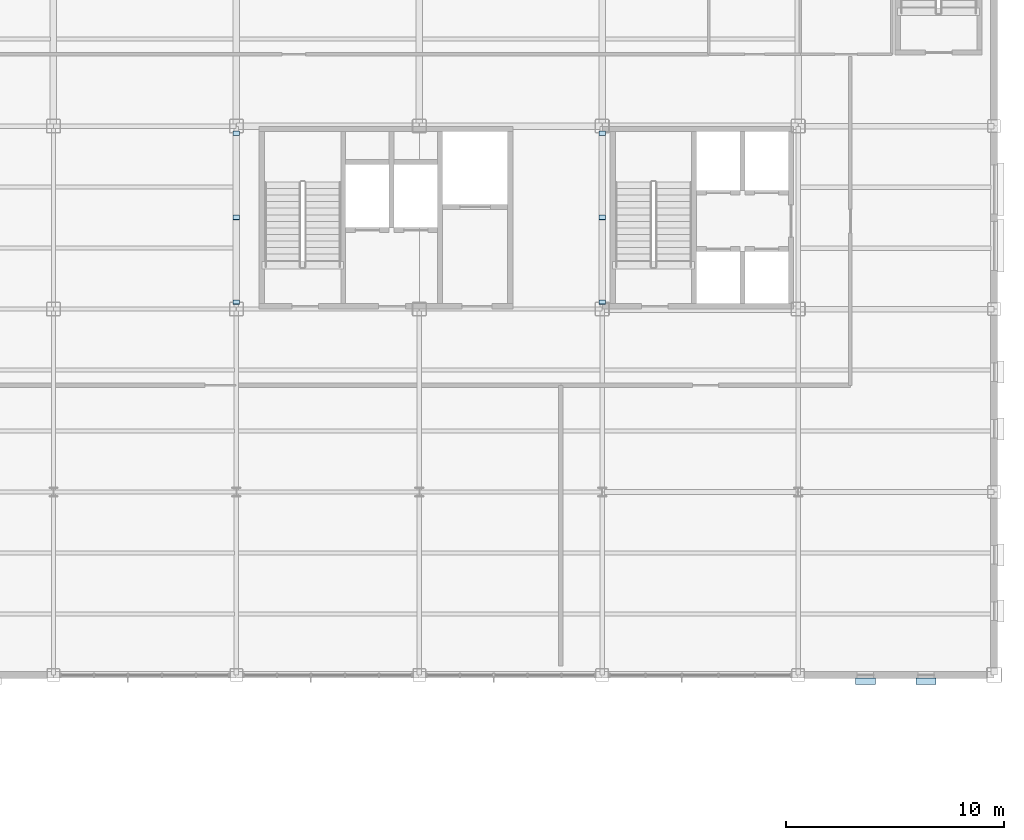
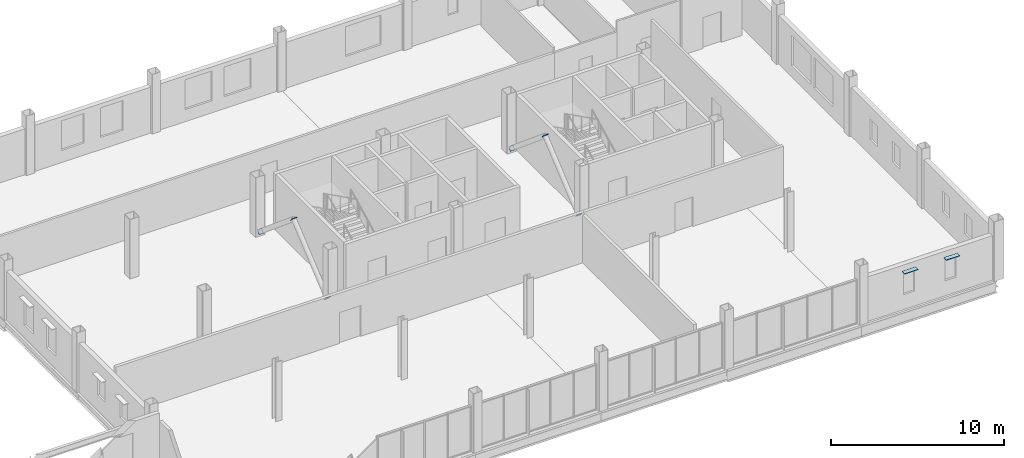
# One storey, part 34 of 45: 8 plates.
"""IFC4 building model written with IfcOpenShell, lengths in metres."""

import ifcopenshell
import ifcopenshell.guid

model = None  # the IFC model being written
_history = None  # IfcOwnerHistory: only IFC2X3 demands one
_inside = {}  # id of a spatial element -> (the spatial element, [elements in it])
_under = {}  # id of a project, library or spatial element -> (it, [spatial elements below it])
_declared = {}  # id of a project -> (the project, [libraries it declares])
_typed = {}  # id of a type object -> (the type object, [elements of that type])
_made_of = {}  # id of a material, layer set ... -> (it, [elements and type objects made of it])


def new_model(schema):
    """Start an empty IFC model of exactly this schema.

    Asked for "IFC4X3", IfcOpenShell would pick the latest addendum, in which some entities
    have other attributes; the version numbers below select the first issue.
    IFC2X3 requires an IfcOwnerHistory on every rooted entity: one is made here for all.
    """
    global model, _history
    if schema == "IFC4X3":
        model = ifcopenshell.file(schema_version=(4, 3, 0, 0))
    else:
        model = ifcopenshell.file(schema=schema)
    _inside.clear()
    _under.clear()
    _declared.clear()
    _typed.clear()
    _made_of.clear()
    _history = None
    if model.schema == "IFC2X3":
        org = make("IfcOrganization", Name="unknown")
        user = make(
            "IfcPersonAndOrganization",
            ThePerson=make("IfcPerson", FamilyName="unknown"),
            TheOrganization=org,
        )
        app = make(
            "IfcApplication",
            ApplicationDeveloper=org,
            Version="unknown",
            ApplicationFullName="unknown",
            ApplicationIdentifier="unknown",
        )
        _history = make(
            "IfcOwnerHistory",
            OwningUser=user,
            OwningApplication=app,
            ChangeAction="ADDED",
            CreationDate=0,
        )
    return model


def make(cls, **values):
    """One entity of the class cls with the attributes given. An attribute that is None is left unset."""
    return model.create_entity(
        cls, **{name: value for name, value in values.items() if value is not None}
    )


def rooted(cls, **values):
    """An entity with a GlobalId (a new one), such as an element, a storey or a relation."""
    return make(cls, GlobalId=ifcopenshell.guid.new(), OwnerHistory=_history, **values)


def si_unit(unit_type, name, prefix=None):
    """IfcSIUnit, for example si_unit("LENGTHUNIT", "METRE", prefix="MILLI")."""
    return make("IfcSIUnit", UnitType=unit_type, Prefix=prefix, Name=name)


def assignment(units):
    """IfcUnitAssignment: the units of a project."""
    return None if units is None else make("IfcUnitAssignment", Units=units)


def point(xyz):
    """IfcCartesianPoint."""
    return None if xyz is None else make("IfcCartesianPoint", Coordinates=xyz)


def direction(xyz):
    """IfcDirection."""
    return None if xyz is None else make("IfcDirection", DirectionRatios=xyz)


def frame(location, z_axis=None, x_axis=None):
    """IfcAxis2Placement3D, a coordinate frame: its origin and axes. An axis left out is left unset."""
    return make(
        "IfcAxis2Placement3D",
        Location=point(location),
        Axis=direction(z_axis),
        RefDirection=direction(x_axis),
    )


def frame_2d(location, x_axis=None):
    """IfcAxis2Placement2D, a coordinate frame in the plane: its origin and x axis."""
    return make(
        "IfcAxis2Placement2D", Location=point(location), RefDirection=direction(x_axis)
    )


def origin():
    """The frame at (0, 0, 0) with its axes left unset."""
    return frame((0.0, 0.0, 0.0))


def origin_2d():
    """The frame at (0, 0) in the plane with its x axis left unset."""
    return frame_2d((0.0, 0.0))


def place(relative_to, where):
    """IfcLocalPlacement: puts the frame where relative to a parent placement (None: the world)."""
    return make(
        "IfcLocalPlacement", PlacementRelTo=relative_to, RelativePlacement=where
    )


def context(
    kind, dimensions, precision=None, world=None, true_north=None, identifier=None
):
    """IfcGeometricRepresentationContext, for example the 3D "Model" context."""
    return make(
        "IfcGeometricRepresentationContext",
        ContextIdentifier=identifier,
        ContextType=kind,
        CoordinateSpaceDimension=dimensions,
        Precision=precision,
        WorldCoordinateSystem=world,
        TrueNorth=true_north,
    )


def subcontext(parent, identifier, kind, view, scale=None):
    """IfcGeometricRepresentationSubContext, for example "Body" below "Model"."""
    return make(
        "IfcGeometricRepresentationSubContext",
        ContextIdentifier=identifier,
        ContextType=kind,
        ParentContext=parent,
        TargetScale=scale,
        TargetView=view,
    )


def project(units=None, contexts=None):
    """IfcProject with its units and contexts."""
    return rooted(
        "IfcProject",
        Name="project",
        RepresentationContexts=contexts,
        UnitsInContext=assignment(units),
    )


def spatial(cls, under=None, at=None, **own):
    """A site, building, storey or space (cls), placed at a placement, below another one or the project."""
    s = rooted(cls, ObjectPlacement=at, **own)
    if under is not None:
        _under.setdefault(under.id(), (under, []))[1].append(s)
    return s


def profile(cls, at=None, kind="AREA", **sizes):
    """A parametric profile (cls). Its sizes go by their IFC names, for example OverallWidth=200.0."""
    return make(cls, ProfileType=kind, Position=at, **sizes)


def rectangle(**sizes):
    """IfcRectangleProfileDef."""
    return profile("IfcRectangleProfileDef", **sizes)


def extrude(swept, where, along, depth):
    """IfcExtrudedAreaSolid: the profile swept, set in the frame where, extruded along a direction by depth."""
    return make(
        "IfcExtrudedAreaSolid",
        SweptArea=swept,
        Position=where,
        ExtrudedDirection=direction(along),
        Depth=depth,
    )


def shape(context_of_items, identifier, shape_type, items):
    """IfcShapeRepresentation: the items that make up one representation, for example the "Body"."""
    return make(
        "IfcShapeRepresentation",
        ContextOfItems=context_of_items,
        RepresentationIdentifier=identifier,
        RepresentationType=shape_type,
        Items=items,
    )


def material(Name=None, Category=None):
    """IfcMaterial."""
    return make("IfcMaterial", Name=Name, Category=Category)


def layer(
    of_material, thickness, ventilated=None, Name=None, Category=None, Priority=None
):
    """IfcMaterialLayer: one layer of a wall or slab, of a material (None: an air gap)."""
    return make(
        "IfcMaterialLayer",
        Material=of_material,
        LayerThickness=thickness,
        IsVentilated=ventilated,
        Name=Name,
        Category=Category,
        Priority=Priority,
    )


def layer_set(layers, Name=None):
    """IfcMaterialLayerSet."""
    return make("IfcMaterialLayerSet", MaterialLayers=layers, LayerSetName=Name)


def made_of(thing, what):
    """Note that an element or type object is made of a material, layer set ...; save() writes the relation."""
    if what is not None:
        _made_of.setdefault(what.id(), (what, []))[1].append(thing)
    return thing


def type_object(cls, material=None, **own):
    """A type object (cls), such as IfcWallType, which elements share."""
    return made_of(rooted(cls, **own), material)


def element(
    cls,
    number,
    at=None,
    inside=None,
    cuts=None,
    type_object=None,
    material=None,
    context=None,
    identifier="Body",
    shape_type=None,
    held_by="IfcProductDefinitionShape",
    body=None,
    shapes=None,
    **own,
):
    """One element of the class cls, such as IfcWall. Its Tag is "e" and its number.

    at: its placement. inside: the storey or other place that contains it. cuts: it is an
    opening in that element (IfcRelVoidsElement). A single representation is given by context,
    identifier, shape_type and body (its items); several are given by shapes. held_by: the class
    of the entity that holds the representations. save() writes the other relations.
    """
    e = rooted(cls, Tag="e%d" % number, ObjectPlacement=at, **own)
    if body is not None:
        shapes = [shape(context, identifier, shape_type, body)]
    if shapes is not None:
        e.Representation = make(held_by, Representations=shapes)
    if inside is not None:
        _inside.setdefault(inside.id(), (inside, []))[1].append(e)
    if cuts is not None:
        rooted(
            "IfcRelVoidsElement", RelatingBuildingElement=cuts, RelatedOpeningElement=e
        )
    if type_object is not None:
        _typed.setdefault(type_object.id(), (type_object, []))[1].append(e)
    return made_of(e, material)


def aggregate(whole, parts):
    """IfcRelAggregates: a whole, such as a stair, and the parts it consists of."""
    return rooted("IfcRelAggregates", RelatingObject=whole, RelatedObjects=parts)


def save(model, path):
    """Write the relations noted so far, then the file.

    IfcRelAggregates (storeys below a building ...), IfcRelContainedInSpatialStructure (elements
    in a storey), IfcRelDefinesByType, IfcRelAssociatesMaterial and IfcRelDeclares: one each for
    every whole, place, type object, material and project.
    """
    for whole, parts in _under.values():
        aggregate(whole, parts)
    for where, things in _inside.values():
        rooted(
            "IfcRelContainedInSpatialStructure",
            RelatedElements=things,
            RelatingStructure=where,
        )
    for kind, things in _typed.values():
        rooted("IfcRelDefinesByType", RelatedObjects=things, RelatingType=kind)
    for what, things in _made_of.values():
        rooted("IfcRelAssociatesMaterial", RelatedObjects=things, RelatingMaterial=what)
    for by, libraries in _declared.values():
        rooted("IfcRelDeclares", RelatingContext=by, RelatedDefinitions=libraries)
    model.write(path)


model = new_model("IFC4")

# Units and contexts
model_context = context("Model", 3, precision=1e-05, world=origin(), true_north=direction((0.0, 1.0)))
body_context = subcontext(model_context, "Body", "Model", "MODEL_VIEW")
ifc_project = project(units=[si_unit("LENGTHUNIT", "METRE"), si_unit("AREAUNIT", "SQUARE_METRE"), si_unit("VOLUMEUNIT", "CUBIC_METRE"), si_unit("PLANEANGLEUNIT", "RADIAN"), si_unit("MASSUNIT", "GRAM", prefix="KILO")], contexts=[model_context])

# Site, building, storey
site_placement = place(None, origin())
site = spatial("IfcSite", under=ifc_project, at=site_placement, CompositionType="ELEMENT")
building_placement = place(site_placement, origin())
building = spatial("IfcBuilding", under=site, at=building_placement, Name="Yukiwa Park Conservatory and Herbarium", CompositionType="ELEMENT")
storey_placement = place(building_placement, frame((0.0, 0.0, 9.0)))
storey = spatial("IfcBuildingStorey", under=building, at=storey_placement, Name="L02", CompositionType="ELEMENT", Elevation=9.0)

# Plates
ifc_material_1 = material(Name="Steel Q355D", Category="steel")
ifc_layer_1 = layer(ifc_material_1, 0.02392578125)
ifc_layer_set_1 = layer_set([ifc_layer_1], Name="Steel Q355D")
plate_type_1 = type_object("IfcPlateType", Name="PL-CAP-24-INT", PredefinedType="USERDEFINED", material=ifc_layer_set_1)
plate_1_placement = place(storey_placement, frame((133.199951171875, 95.129638671875, 0.324951171875), z_axis=(0.0, -0.76987934926, -0.638189460571), x_axis=(1.0, 0.0, 0.0)))
element("IfcPlate", 1, at=plate_1_placement, inside=storey, type_object=plate_type_1, Name="Hollow section end cap plate CAP-BR-L02-019A", ObjectType="END CAP PLATE", PredefinedType="USERDEFINED", context=body_context, shape_type="SweptSolid", body=[
    extrude(rectangle(XDim=0.306396484375, YDim=0.306396484375, at=origin_2d()), origin(), (0.0, 0.0, 1.0), 0.024169921875),
])
plate_2_placement = place(storey_placement, frame((133.199951171875, 98.993896484375, 3.554931640625), z_axis=(0.0, 0.76570486479, 0.643192086423), x_axis=(-1.0, 0.0, 0.0)))
element("IfcPlate", 2, at=plate_2_placement, inside=storey, type_object=plate_type_1, Name="Hollow section end cap plate CAP-BR-L02-019B", ObjectType="END CAP PLATE", PredefinedType="USERDEFINED", context=body_context, shape_type="SweptSolid", body=[
    extrude(rectangle(XDim=0.306396484375, YDim=0.306396484375, at=origin_2d()), origin(), (0.0, 0.0, 1.0), 0.02392578125),
])
for number, where, z_axis, x_axis, name in (
    (3, (133.199951171875, 102.870361328125, 0.324951171875), (0.0, 0.76987934926, -0.638189460571), (-1.0, 0.0, 0.0), "Hollow section end cap plate CAP-BR-L02-020A"),
    (4, (150.0, 95.129638671875, 0.324951171875), (0.0, -0.76987934926, -0.638189460571), (1.0, 0.0, 0.0), "Hollow section end cap plate CAP-BR-L02-021A"),
):
    element("IfcPlate", number, at=place(storey_placement, frame(where, z_axis=z_axis, x_axis=x_axis)), inside=storey, type_object=plate_type_1, Name=name, ObjectType="END CAP PLATE", PredefinedType="USERDEFINED", context=body_context, shape_type="SweptSolid", body=[
        extrude(rectangle(XDim=0.306396484375, YDim=0.306396484375, at=origin_2d()), origin(), (0.0, 0.0, 1.0), 0.024169921875),
    ])
plate_3_placement = place(storey_placement, frame((150.0, 98.993896484375, 3.554931640625), z_axis=(0.0, 0.76570486479, 0.643192086423), x_axis=(-1.0, 0.0, 0.0)))
element("IfcPlate", 5, at=plate_3_placement, inside=storey, type_object=plate_type_1, Name="Hollow section end cap plate CAP-BR-L02-021B", ObjectType="END CAP PLATE", PredefinedType="USERDEFINED", context=body_context, shape_type="SweptSolid", body=[
    extrude(rectangle(XDim=0.306396484375, YDim=0.306396484375, at=origin_2d()), origin(), (0.0, 0.0, 1.0), 0.02392578125),
])
plate_4_placement = place(storey_placement, frame((150.0, 102.870361328125, 0.324951171875), z_axis=(0.0, 0.76987934926, -0.638189460571), x_axis=(-1.0, 0.0, 0.0)))
element("IfcPlate", 6, at=plate_4_placement, inside=storey, type_object=plate_type_1, Name="Hollow section end cap plate CAP-BR-L02-022A", ObjectType="END CAP PLATE", PredefinedType="USERDEFINED", context=body_context, shape_type="SweptSolid", body=[
    extrude(rectangle(XDim=0.306396484375, YDim=0.306396484375, at=origin_2d()), origin(), (0.0, 0.0, 1.0), 0.024169921875),
])
ifc_material_2 = material(Name="Anodised Aluminium", Category="aluminium")
ifc_layer_2 = layer(ifc_material_2, 0.0400390625)
ifc_layer_set_2 = layer_set([ifc_layer_2], Name="Anodised Aluminium")
plate_type_2 = type_object("IfcPlateType", Name="PL-SHADE-ALU-40", PredefinedType="SHEET", material=ifc_layer_set_2)
for number, where, z_axis, x_axis, name in (
    (7, (162.0830078125, 77.699951171875, 2.68994140625), (0.0, 0.0, 1.0), (1.0, 0.0, 0.0), "L02 snow-shedding window hood 91"),
    (8, (164.866943359375, 77.699951171875, 2.68994140625), (0.0, 0.0, 1.0), (1.0, 0.0, 0.0), "L02 snow-shedding window hood 92"),
):
    element("IfcPlate", number, at=place(storey_placement, frame(where, z_axis=z_axis, x_axis=x_axis)), inside=storey, type_object=plate_type_2, Name=name, PredefinedType="SHEET", context=body_context, shape_type="SweptSolid", body=[
        extrude(rectangle(XDim=0.909912109375, YDim=0.300048828125, at=origin_2d()), origin(), (0.0, 0.0, 1.0), 0.0400390625),
    ])

save(model, "model.ifc")
